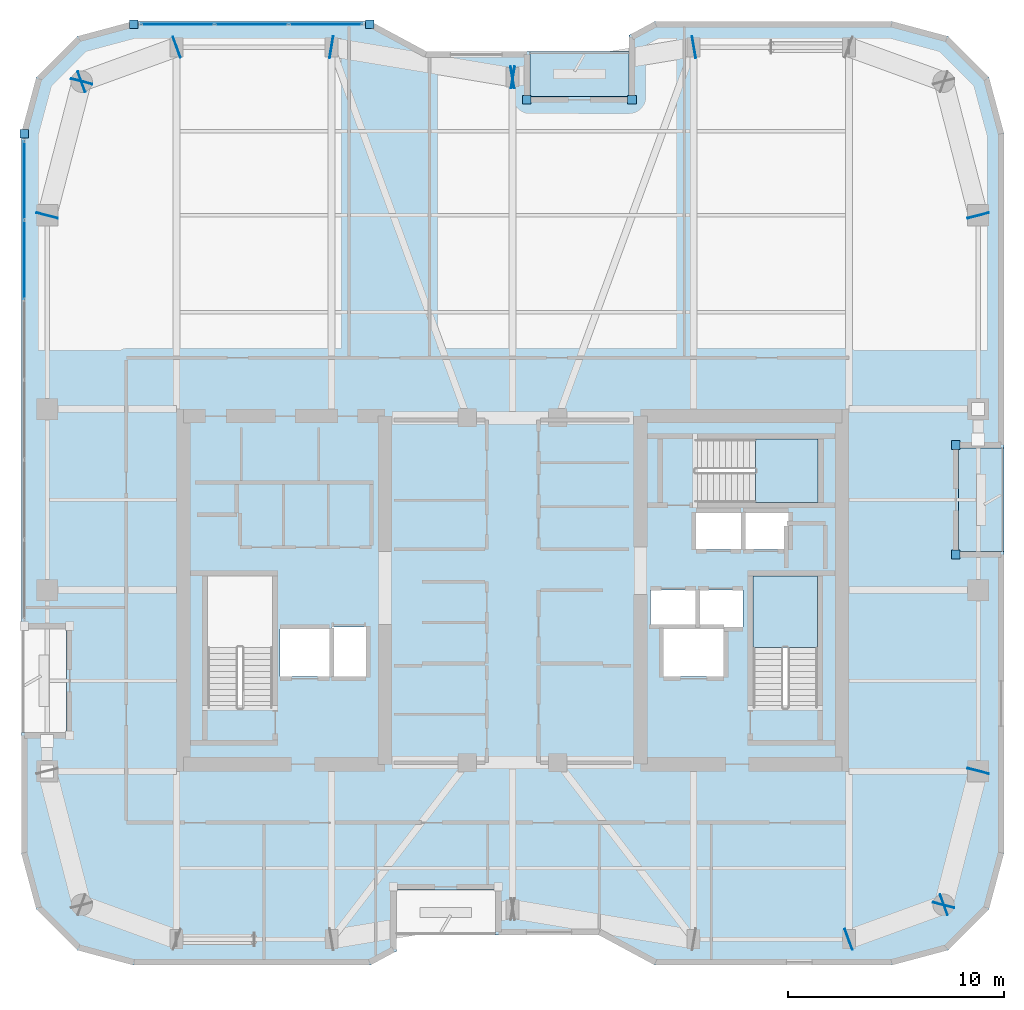
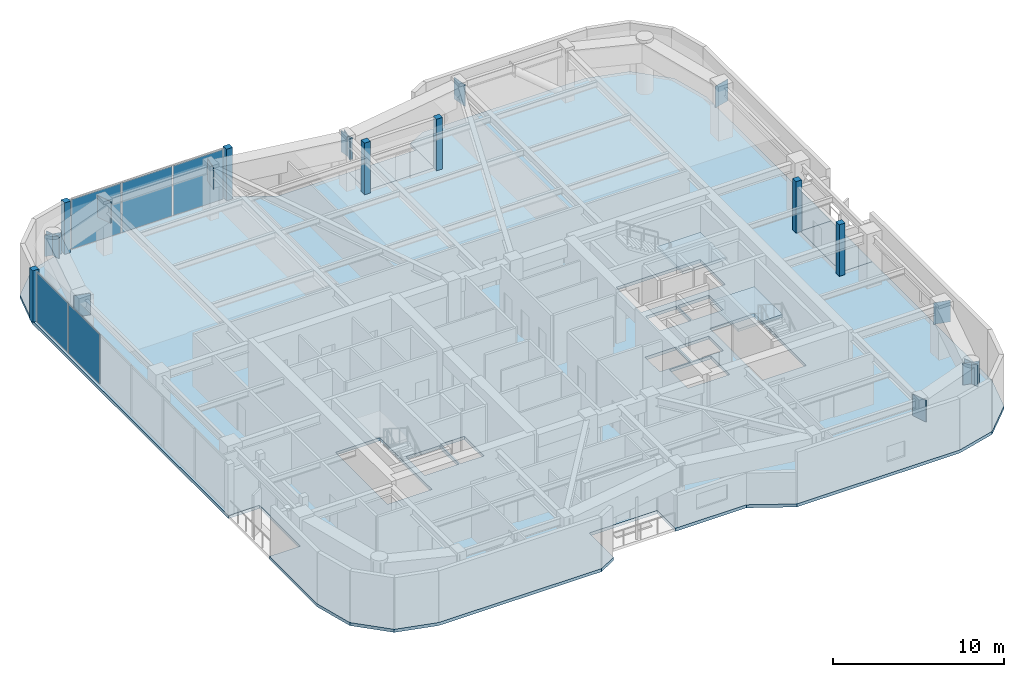
# One storey, part 13 of 21: 25 plates, 5 slabs, 4 elements without a shape of their own.
"""IFC4 building model written with IfcOpenShell, lengths in metres."""

from ifc_helpers import new_model, si_unit, direction, frame, origin, origin_2d, place, context, subcontext, project, spatial, polyline, rectangle, outline, extrude, material, layer, layer_set, type_object, element, aggregate, save


model = new_model("IFC4")

# Units and contexts
model_context = context("Model", 3, precision=1e-05, world=origin(), true_north=direction((0.0, 1.0)))
body_context = subcontext(model_context, "Body", "Model", "MODEL_VIEW")
ifc_project = project(units=[si_unit("LENGTHUNIT", "METRE"), si_unit("AREAUNIT", "SQUARE_METRE"), si_unit("VOLUMEUNIT", "CUBIC_METRE"), si_unit("PLANEANGLEUNIT", "RADIAN"), si_unit("MASSUNIT", "GRAM", prefix="KILO")], contexts=[model_context])

# Site, building, storey
site_placement = place(None, origin())
site = spatial("IfcSite", under=ifc_project, at=site_placement, CompositionType="ELEMENT")
building_placement = place(site_placement, origin())
building = spatial("IfcBuilding", under=site, at=building_placement, Name="Kiyonajd Concourse Tower", CompositionType="ELEMENT")
storey_placement = place(building_placement, frame((0.0, 0.0, 247.199951171875)))
storey = spatial("IfcBuildingStorey", under=building, at=storey_placement, Name="L62", CompositionType="ELEMENT", Elevation=247.199951171875)

# Plates
ifc_material_1 = material(Name="Steel ASTM A572 Grade 50", Category="steel")
ifc_layer_1 = layer(ifc_material_1, 0.031982421875)
ifc_layer_set_1 = layer_set([ifc_layer_1], Name="Steel ASTM A572 Grade 50")
plate_type_1 = type_object("IfcPlateType", Name="PL-CAP-540", PredefinedType="USERDEFINED", material=ifc_layer_set_1)
for number, where, z_axis, x_axis, name in (
    (1, (63.589599609375, 19.796142578125, 2.2099609375), (0.0, 0.0, 1.0), (-0.939811951086, -0.341692107891, 0.0), "L62 Welded Box Girder End Cap"),
    (2, (68.01025390625, 21.40380859375, 2.2099609375), (0.0, 0.0, 1.0), (0.939811951086, 0.341692107891, 0.0), "L62 Welded Box Girder End Cap"),
    (3, (67.997314453125, 21.389404296875, 2.2099609375), (0.0, 0.0, 1.0), (-0.249873048837, -0.968278606324, 0.0), "L62 Welded Box Girder End Cap"),
    (4, (69.602783203125, 27.610595703125, 2.2099609375), (0.0, 0.0, 1.0), (0.249873048837, 0.968278606324, 0.0), "L62 Welded Box Girder End Cap"),
    (5, (69.602783203125, 53.389404296875, 2.2099609375), (0.0, 0.0, 1.0), (0.249873048837, -0.968278606324, 0.0), "L62 Welded Box Girder End Cap"),
    (6, (56.410888671875, 61.201904296875, 2.2099609375), (0.0, 0.0, 1.0), (0.986400586142, 0.164359008451, 0.0), "L62 Welded Box Girder End Cap"),
    (7, (47.989013671875, 59.798095703125, 2.2099609375), (0.0, 0.0, 1.0), (-0.986400586142, -0.164359008451, 0.0), "L62 Welded Box Girder End Cap"),
    (8, (48.010986328125, 59.798095703125, 2.2099609375), (0.0, 0.0, 1.0), (0.986400586142, -0.164359008451, 0.0), "L62 Welded Box Girder End Cap"),
    (9, (39.589111328125, 61.201904296875, 2.2099609375), (0.0, 0.0, 1.0), (-0.986400586142, 0.164359008451, 0.0), "L62 Welded Box Girder End Cap"),
    (10, (32.410400390625, 61.203857421875, 2.2099609375), (0.0, 0.0, 1.0), (0.939811951086, 0.341692107891, 0.0), "L62 Welded Box Girder End Cap"),
    (11, (27.98974609375, 59.59619140625, 2.2099609375), (0.0, 0.0, 1.0), (-0.939811951086, -0.341692107891, 0.0), "L62 Welded Box Girder End Cap"),
    (12, (28.002685546875, 59.610595703125, 2.2099609375), (0.0, 0.0, 1.0), (0.249873048837, 0.968278606324, 0.0), "L62 Welded Box Girder End Cap"),
    (13, (26.397216796875, 53.389404296875, 2.2099609375), (0.0, 0.0, 1.0), (-0.249873048837, -0.968278606324, 0.0), "L62 Welded Box Girder End Cap"),
):
    element("IfcPlate", number, at=place(storey_placement, frame(where, z_axis=z_axis, x_axis=x_axis)), inside=storey, type_object=plate_type_1, Name=name, ObjectType="CAP PLATE", PredefinedType="USERDEFINED", context=body_context, shape_type="SweptSolid", body=[
        extrude(rectangle(XDim=0.035888671875, YDim=1.02001953125, at=origin_2d()), origin(), (0.0, 0.0, 1.0), 1.5400390625),
    ])

# Curtain wall, plates
ifc_material_2 = material(Name="Thermally Broken Anodised Aluminium", Category="aluminium")
ifc_layer_2 = layer(ifc_material_2, 0.179931640625)
ifc_layer_set_2 = layer_set([ifc_layer_2], Name="Thermally Broken Anodised Aluminium")
curtain_wall_type = type_object("IfcCurtainWallType", Name="CW-SYS-04", PredefinedType="NOTDEFINED", material=ifc_layer_set_2)
curtain_wall_1_placement = place(storey_placement, origin())
curtain_wall_1 = element("IfcCurtainWall", 14, at=curtain_wall_1_placement, inside=storey, type_object=curtain_wall_type, Name="L62 Unitised Curtain Wall CW4", PredefinedType="NOTDEFINED")
ifc_material_3 = material(Name="Double Low-E Insulated Glass", Category="glass")
ifc_layer_3 = layer(ifc_material_3, 0.033935546875)
ifc_layer_set_3 = layer_set([ifc_layer_3], Name="Double Low-E Insulated Glass")
plate_type_2 = type_object("IfcPlateType", Name="PL-CW-VIS34", PredefinedType="CURTAIN_PANEL", material=ifc_layer_set_3)
plate_1_placement = place(storey_placement, frame((25.340087890625, 51.326171875, 0.06494140625), z_axis=(0.0, 0.0, 1.0), x_axis=(0.0, 1.0, 0.0)))
plate_1 = element("IfcPlate", 15, at=plate_1_placement, type_object=plate_type_2, Name="CW4 panel 5.1", PredefinedType="CURTAIN_PANEL", context=body_context, shape_type="SweptSolid", body=[
    extrude(rectangle(XDim=3.645263671875, YDim=0.033935546875, at=origin_2d()), origin(), (0.0, 0.0, 1.0), 3.550048828125),
])
plate_2_placement = place(storey_placement, frame((25.340087890625, 55.020263671875, 0.06494140625), z_axis=(0.0, 0.0, 1.0), x_axis=(0.0, 1.0, 0.0)))
plate_2 = element("IfcPlate", 16, at=plate_2_placement, type_object=plate_type_2, Name="CW4 panel 6.1", PredefinedType="CURTAIN_PANEL", context=body_context, shape_type="SweptSolid", body=[
    extrude(rectangle(XDim=3.61279296875, YDim=0.033935546875, at=origin_2d()), origin(), (0.0, 0.0, 1.0), 3.550048828125),
])
aggregate(curtain_wall_1, [plate_1, plate_2])

curtain_wall_2_placement = place(storey_placement, origin())
curtain_wall_2 = element("IfcCurtainWall", 17, at=curtain_wall_2_placement, inside=storey, type_object=curtain_wall_type, Name="L62 Unitised Curtain Wall CW4", PredefinedType="NOTDEFINED")
plate_3_placement = place(storey_placement, frame((32.452392578125, 62.260009765625, 0.06494140625), z_axis=(0.0, 0.0, 1.0), x_axis=(1.0, 0.0, 0.0)))
plate_3 = element("IfcPlate", 18, at=plate_3_placement, type_object=plate_type_2, Name="CW4 panel 1.1", PredefinedType="CURTAIN_PANEL", context=body_context, shape_type="SweptSolid", body=[
    extrude(rectangle(XDim=3.35791015625, YDim=0.033935546875, at=origin_2d()), origin(), (0.0, 0.0, 1.0), 3.550048828125),
])
plate_4_placement = place(storey_placement, frame((35.8916015625, 62.260009765625, 0.06494140625), z_axis=(0.0, 0.0, 1.0), x_axis=(1.0, 0.0, 0.0)))
plate_4 = element("IfcPlate", 19, at=plate_4_placement, type_object=plate_type_2, Name="CW4 panel 2.1", PredefinedType="CURTAIN_PANEL", context=body_context, shape_type="SweptSolid", body=[
    extrude(rectangle(XDim=3.390380859375, YDim=0.033935546875, at=origin_2d()), origin(), (0.0, 0.0, 1.0), 3.550048828125),
])
plate_5_placement = place(storey_placement, frame((39.330810546875, 62.260009765625, 0.06494140625), z_axis=(0.0, 0.0, 1.0), x_axis=(1.0, 0.0, 0.0)))
plate_5 = element("IfcPlate", 20, at=plate_5_placement, type_object=plate_type_2, Name="CW4 panel 3.1", PredefinedType="CURTAIN_PANEL", context=body_context, shape_type="SweptSolid", body=[
    extrude(rectangle(XDim=3.35791015625, YDim=0.033935546875, at=origin_2d()), origin(), (0.0, 0.0, 1.0), 3.550048828125),
])
aggregate(curtain_wall_2, [plate_3, plate_4, plate_5])

# Plates
ifc_layer_4 = layer(ifc_material_2, 0.39990234375)
ifc_layer_set_4 = layer_set([ifc_layer_4], Name="Thermally Broken Anodised Aluminium")
plate_type_3 = type_object("IfcPlateType", Name="PL-JMB-400", PredefinedType="USERDEFINED", material=ifc_layer_set_4)
for number, where, z_axis, x_axis, name in (
    (21, (25.340087890625, 57.181640625, 0.0), (0.0, 0.0, 1.0), (1.0, 0.0, 0.0), "L62 Facade Jamb Closure Plate 04"),
    (22, (30.41845703125, 62.260009765625, 0.0), (0.0, 0.0, 1.0), (1.0, 0.0, 0.0), "L62 Facade Jamb Closure Plate 05"),
    (23, (41.36474609375, 62.260009765625, 0.0), (0.0, 0.0, 1.0), (1.0, 0.0, 0.0), "L62 Facade Jamb Closure Plate 06"),
    (24, (48.659912109375, 58.760009765625, 0.0), (0.0, 0.0, 1.0), (1.0, 0.0, 0.0), "L62 Facade Jamb Closure Plate 07"),
    (25, (53.5400390625, 58.760009765625, 0.0), (0.0, 0.0, 1.0), (1.0, 0.0, 0.0), "L62 Facade Jamb Closure Plate 08"),
    (26, (68.56005859375, 42.739990234375, 0.0), (0.0, 0.0, 1.0), (1.0, 0.0, 0.0), "L62 Facade Jamb Closure Plate 09"),
    (27, (68.56005859375, 37.659912109375, 0.0), (0.0, 0.0, 1.0), (1.0, 0.0, 0.0), "L62 Facade Jamb Closure Plate 10"),
):
    element("IfcPlate", number, at=place(storey_placement, frame(where, z_axis=z_axis, x_axis=x_axis)), inside=storey, type_object=plate_type_3, Name=name, ObjectType="JAMB PLATE", PredefinedType="USERDEFINED", context=body_context, shape_type="SweptSolid", body=[
        extrude(rectangle(XDim=0.39990234375, YDim=0.39990234375, at=origin_2d()), origin(), (0.0, 0.0, 1.0), 3.679931640625),
    ])

# Stair, slab
ifc_material_4 = material(Name="Concrete C40/50", Category="concrete")
stair_type = type_object("IfcStairType", Name="ST-DLG-22R", PredefinedType="HALF_TURN_STAIR", material=ifc_material_4)
stair_1_placement = place(storey_placement, origin())
stair_1 = element("IfcStair", 28, at=stair_1_placement, inside=storey, type_object=stair_type, Name="L62 Protected Exit Stair ST2", PredefinedType="HALF_TURN_STAIR")
ifc_layer_5 = layer(ifc_material_4, 0.199951171875)
ifc_layer_set_5 = layer_set([ifc_layer_5], Name="Concrete C40/50")
slab_type_1 = type_object("IfcSlabType", Name="SL-LND-200", PredefinedType="LANDING", material=ifc_layer_set_5)
slab_1_placement = place(storey_placement, frame((0.0, 0.0, 1.75)))
slab_1 = element("IfcSlab", 29, at=slab_1_placement, type_object=slab_type_1, Name="ST2 landing 1", PredefinedType="LANDING", context=body_context, shape_type="SweptSolid", body=[
    extrude(outline(polyline([(62.14990234375, 33.35009765625), (62.14990234375, 36.64990234375), (59.14990234375, 36.64990234375), (59.14990234375, 33.35009765625), (62.14990234375, 33.35009765625)])), origin(), (0.0, 0.0, 1.0), 0.199951171875),
])
aggregate(stair_1, [slab_1])

stair_2_placement = place(storey_placement, origin())
stair_2 = element("IfcStair", 30, at=stair_2_placement, inside=storey, type_object=stair_type, Name="L62 Protected Exit Stair ST3", PredefinedType="HALF_TURN_STAIR")
slab_2_placement = place(storey_placement, frame((0.0, 0.0, 1.75)))
slab_2 = element("IfcSlab", 31, at=slab_2_placement, type_object=slab_type_1, Name="ST3 landing 1", PredefinedType="LANDING", context=body_context, shape_type="SweptSolid", body=[
    extrude(outline(polyline([(59.280029296875, 40.080078125), (62.179931640625, 40.080078125), (62.179931640625, 43.02001953125), (59.280029296875, 43.02001953125), (59.280029296875, 40.080078125)])), origin(), (0.0, 0.0, 1.0), 0.199951171875),
])
aggregate(stair_2, [slab_2])

# Slabs
ifc_material_5 = material(Name="Precast concrete C50/60", Category="concrete")
ifc_layer_6 = layer(ifc_material_5, 0.199951171875)
ifc_layer_set_6 = layer_set([ifc_layer_6], Name="Precast concrete C50/60")
slab_type_2 = type_object("IfcSlabType", Name="SL-LOG-200", PredefinedType="FLOOR", material=ifc_layer_set_6)
slab_3_placement = place(storey_placement, frame((0.0, 0.0, -0.199951171875)))
element("IfcSlab", 32, at=slab_3_placement, inside=storey, type_object=slab_type_2, Name="L62 Recessed Engawa Loggia Terrace Slab LOG-N", PredefinedType="FLOOR", context=body_context, shape_type="SweptSolid", body=[
    extrude(outline(polyline([(48.800048828125, 58.89990234375), (53.39990234375, 58.89990234375), (53.39990234375, 61.0), (48.800048828125, 61.0), (48.800048828125, 58.89990234375)])), origin(), (0.0, 0.0, 1.0), 0.199951171875),
])
slab_4_placement = place(storey_placement, frame((0.0, 0.0, -0.199951171875)))
element("IfcSlab", 33, at=slab_4_placement, inside=storey, type_object=slab_type_2, Name="L62 Recessed Engawa Loggia Terrace Slab LOG-E", PredefinedType="FLOOR", context=body_context, shape_type="SweptSolid", body=[
    extrude(outline(polyline([(68.699951171875, 37.800048828125), (70.800048828125, 37.800048828125), (70.800048828125, 42.60009765625), (68.699951171875, 42.60009765625), (68.699951171875, 37.800048828125)])), origin(), (0.0, 0.0, 1.0), 0.199951171875),
])
ifc_layer_7 = layer(ifc_material_4, 0.219970703125)
ifc_layer_set_7 = layer_set([ifc_layer_7], Name="Concrete C40/50")
slab_type_3 = type_object("IfcSlabType", Name="SL-TWR-220", PredefinedType="FLOOR", material=ifc_layer_set_7)
slab_5_placement = place(storey_placement, frame((0.0, 0.0, -0.219970703125)))
element("IfcSlab", 34, at=slab_5_placement, inside=storey, type_object=slab_type_3, Name="L62 Tower Conditioned Floor Slab", PredefinedType="FLOOR", context=body_context, shape_type="SweptSolid", body=[
    extrude(outline(polyline([(25.89697265625, 21.199951171875), (25.199951171875, 23.800048828125), (25.199951171875, 29.39990234375), (27.300048828125, 29.39990234375), (27.300048828125, 34.199951171875), (25.199951171875, 34.199951171875), (25.199951171875, 57.199951171875), (25.89697265625, 59.800048828125), (27.800048828125, 61.702880859375), (30.39990234375, 62.39990234375), (41.39990234375, 62.39990234375), (44.0, 61.0), (48.800048828125, 61.0), (48.800048828125, 58.89990234375), (53.39990234375, 58.89990234375), (53.39990234375, 61.75390625), (54.60009765625, 62.39990234375), (65.60009765625, 62.39990234375), (68.199951171875, 61.702880859375), (70.10302734375, 59.800048828125), (70.800048828125, 57.199951171875), (70.800048828125, 42.60009765625), (68.699951171875, 42.60009765625), (68.699951171875, 37.800048828125), (70.800048828125, 37.800048828125), (70.800048828125, 23.800048828125), (70.10302734375, 21.199951171875), (68.199951171875, 19.297119140625), (65.60009765625, 18.60009765625), (54.60009765625, 18.60009765625), (52.0, 20.0), (47.199951171875, 20.0), (47.199951171875, 22.10009765625), (42.60009765625, 22.10009765625), (42.60009765625, 19.24609375), (41.39990234375, 18.60009765625), (30.39990234375, 18.60009765625), (27.800048828125, 19.297119140625), (25.89697265625, 21.199951171875)]), holes=[polyline([(39.5, 32.0), (37.199951171875, 32.0), (37.199951171875, 34.199951171875), (39.5, 34.199951171875), (39.5, 32.0)]), polyline([(57.800048828125, 32.0), (55.0, 32.0), (55.0, 34.199951171875), (57.800048828125, 34.199951171875), (57.800048828125, 32.0)]), polyline([(41.199951171875, 32.0), (39.60009765625, 32.0), (39.60009765625, 34.300048828125), (41.199951171875, 34.300048828125), (41.199951171875, 32.0)]), polyline([(33.85009765625, 30.550048828125), (33.85009765625, 36.64990234375), (36.85009765625, 36.64990234375), (36.85009765625, 30.550048828125), (33.85009765625, 30.550048828125)]), polyline([(59.14990234375, 30.550048828125), (59.14990234375, 36.64990234375), (62.14990234375, 36.64990234375), (62.14990234375, 30.550048828125), (59.14990234375, 30.550048828125)]), polyline([(56.5, 34.300048828125), (54.39990234375, 34.300048828125), (54.39990234375, 36.0), (56.5, 36.0), (56.5, 34.300048828125)]), polyline([(58.699951171875, 34.300048828125), (56.60009765625, 34.300048828125), (56.60009765625, 36.0), (58.699951171875, 36.0), (58.699951171875, 34.300048828125)]), polyline([(58.60009765625, 37.89990234375), (56.5, 37.89990234375), (56.5, 39.60009765625), (58.60009765625, 39.60009765625), (58.60009765625, 37.89990234375)]), polyline([(58.699951171875, 37.89990234375), (58.699951171875, 39.60009765625), (60.800048828125, 39.60009765625), (60.800048828125, 37.89990234375), (58.699951171875, 37.89990234375)]), polyline([(56.47998046875, 43.02001953125), (62.179931640625, 43.02001953125), (62.179931640625, 40.080078125), (56.47998046875, 40.080078125), (56.47998046875, 43.02001953125)])]), origin(), (0.0, 0.0, 1.0), 0.219970703125),
])

save(model, "model.ifc")
